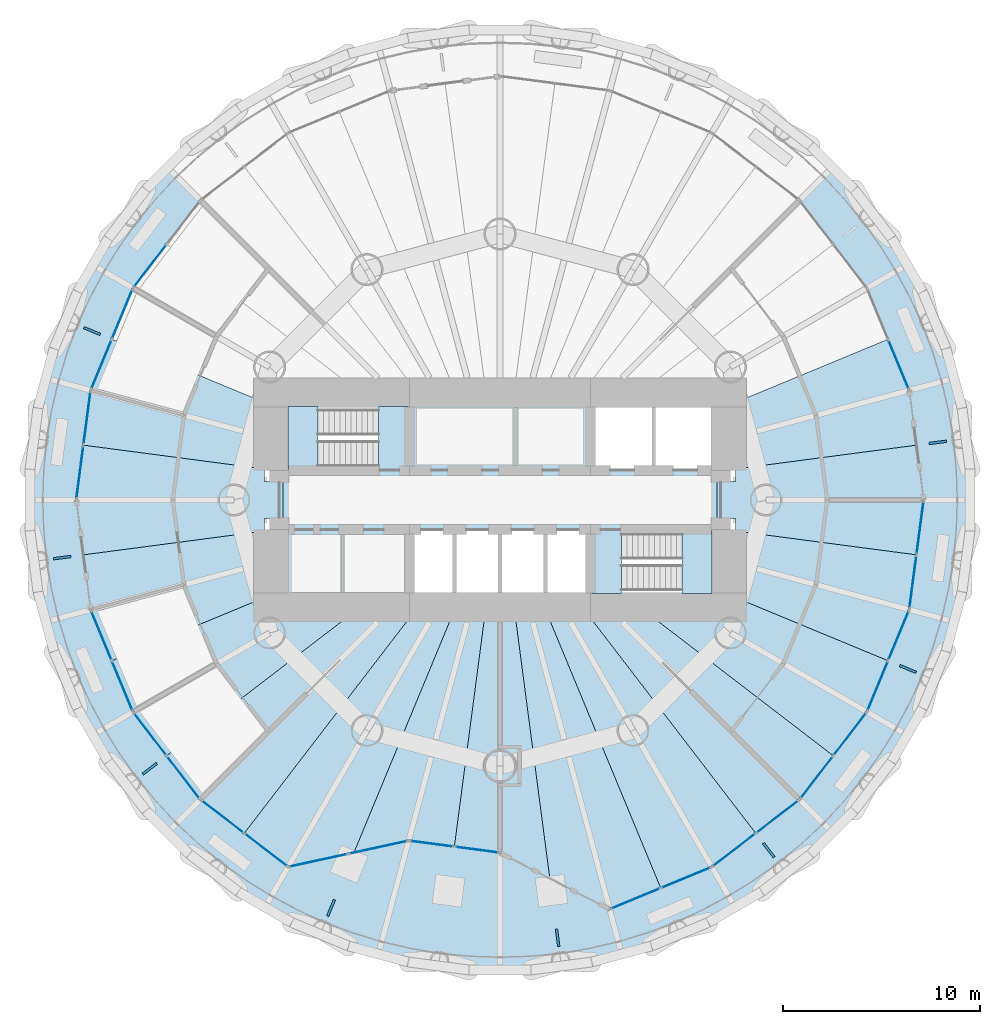
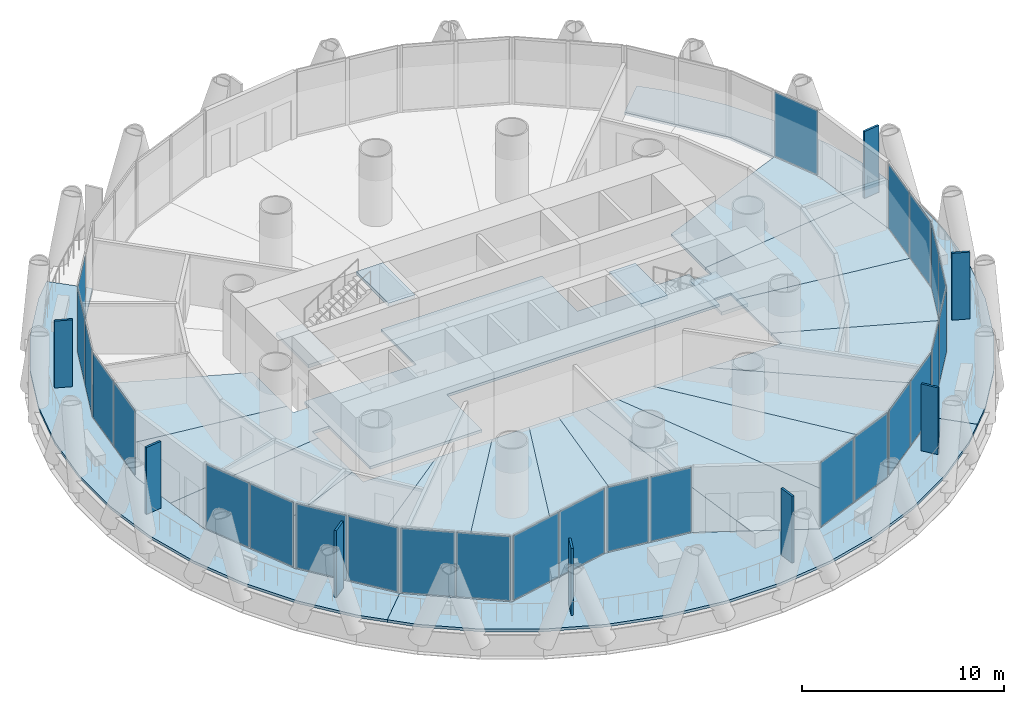
# One storey, part 8 of 15: 34 plates, 23 slabs, 16 elements without a shape of their own.
"""IFC4 building model written with IfcOpenShell, lengths in metres."""

from ifc_helpers import new_model, si_unit, direction, frame, origin, origin_2d, place, context, subcontext, project, spatial, polyline, rectangle, outline, extrude, material, layer, layer_set, type_object, element, aggregate, save


model = new_model("IFC4")

# Units and contexts
model_context = context("Model", 3, precision=1e-05, world=origin(), true_north=direction((0.0, 1.0)))
body_context = subcontext(model_context, "Body", "Model", "MODEL_VIEW")
ifc_project = project(units=[si_unit("LENGTHUNIT", "METRE"), si_unit("AREAUNIT", "SQUARE_METRE"), si_unit("VOLUMEUNIT", "CUBIC_METRE"), si_unit("PLANEANGLEUNIT", "RADIAN"), si_unit("MASSUNIT", "GRAM", prefix="KILO")], contexts=[model_context])

# Site, building, storey
site_placement = place(None, origin())
site = spatial("IfcSite", under=ifc_project, at=site_placement, CompositionType="ELEMENT")
building_placement = place(site_placement, origin())
building = spatial("IfcBuilding", under=site, at=building_placement, Name="Qaws Media Tower", CompositionType="ELEMENT")
storey_placement = place(building_placement, frame((0.0, 0.0, 198.199951171875)))
storey = spatial("IfcBuildingStorey", under=building, at=storey_placement, Name="L45", CompositionType="ELEMENT", Elevation=198.199951171875)

# Slabs
ifc_material_1 = material(Name="Concrete C35/45", Category="concrete")
ifc_layer_1 = layer(ifc_material_1, 0.159912109375)
ifc_layer_set_1 = layer_set([ifc_layer_1], Name="Composite balcony slab 160")
slab_type_1 = type_object("IfcSlabType", Name="Composite balcony slab 160", PredefinedType="FLOOR", material=ifc_layer_set_1)
slab_1_placement = place(storey_placement, frame((0.0, 0.0, -0.159912109375)))
element("IfcSlab", 1, at=slab_1_placement, inside=storey, type_object=slab_type_1, Name="S2 balcony slab L45 R10 to R16, movement joints on R10 and R16", PredefinedType="FLOOR", context=body_context, shape_type="SweptSolid", body=[
    extrude(outline(polyline([(42.031005859375, 34.24169921875), (40.1279296875, 36.721923828125), (38.564697265625, 39.42919921875), (37.368408203125, 42.317626953125), (36.55908203125, 45.33740234375), (36.151123046875, 48.43701171875), (36.151123046875, 51.56298828125), (36.55908203125, 54.66259765625), (37.368408203125, 57.682373046875), (38.564697265625, 60.57080078125), (40.1279296875, 63.278076171875), (42.031005859375, 65.75830078125), (43.13623046875, 66.86376953125), (44.797119140625, 65.202880859375), (41.380615234375, 60.75), (39.232666015625, 55.564697265625), (38.5, 50.0), (39.232666015625, 44.435302734375), (41.380615234375, 39.25), (44.797119140625, 34.797119140625), (43.13623046875, 33.13623046875), (42.031005859375, 34.24169921875)])), origin(), (0.0, 0.0, 1.0), 0.159912109375),
])
slab_2_placement = place(storey_placement, frame((0.0, 0.0, -0.159912109375)))
element("IfcSlab", 2, at=slab_2_placement, inside=storey, type_object=slab_type_1, Name="S2 balcony slab L45 R16 to R22, movement joints on R16 and R22", PredefinedType="FLOOR", context=body_context, shape_type="SweptSolid", body=[
    extrude(outline(polyline([(75.75830078125, 32.031005859375), (73.278076171875, 30.1279296875), (70.57080078125, 28.564697265625), (67.682373046875, 27.368408203125), (64.66259765625, 26.55908203125), (61.56298828125, 26.151123046875), (58.43701171875, 26.151123046875), (55.33740234375, 26.55908203125), (52.317626953125, 27.368408203125), (49.42919921875, 28.564697265625), (46.721923828125, 30.1279296875), (44.24169921875, 32.031005859375), (43.13623046875, 33.13623046875), (44.797119140625, 34.797119140625), (49.25, 31.380615234375), (55.3671875, 32.7099609375), (60.0, 32.10009765625), (65.564697265625, 29.232666015625), (70.75, 31.380615234375), (75.202880859375, 34.797119140625), (76.86376953125, 33.13623046875), (75.75830078125, 32.031005859375)])), origin(), (0.0, 0.0, 1.0), 0.159912109375),
])
slab_3_placement = place(storey_placement, frame((0.0, 0.0, -0.159912109375)))
element("IfcSlab", 3, at=slab_3_placement, inside=storey, type_object=slab_type_1, Name="S2 balcony slab L45 R22 to R04, movement joints on R22 and R04", PredefinedType="FLOOR", context=body_context, shape_type="SweptSolid", body=[
    extrude(outline(polyline([(83.44091796875, 45.33740234375), (82.631591796875, 42.317626953125), (81.435302734375, 39.42919921875), (79.8720703125, 36.721923828125), (77.968994140625, 34.24169921875), (76.86376953125, 33.13623046875), (75.202880859375, 34.797119140625), (78.619384765625, 39.25), (80.767333984375, 44.435302734375), (81.5, 50.0), (80.767333984375, 55.564697265625), (78.619384765625, 60.75), (75.202880859375, 65.202880859375), (76.86376953125, 66.86376953125), (77.968994140625, 65.75830078125), (79.8720703125, 63.278076171875), (81.435302734375, 60.57080078125), (82.631591796875, 57.682373046875), (83.44091796875, 54.66259765625), (83.848876953125, 51.56298828125), (83.848876953125, 48.43701171875), (83.44091796875, 45.33740234375)])), origin(), (0.0, 0.0, 1.0), 0.159912109375),
])
ifc_material_2 = material(Name="Concrete C35/45", Category="concrete")
ifc_layer_2 = layer(ifc_material_2, 0.159912109375)
ifc_layer_set_2 = layer_set([ifc_layer_2], Name="Composite floor slab 160")
slab_type_2 = type_object("IfcSlabType", Name="Composite floor slab 160", PredefinedType="FLOOR", material=ifc_layer_set_2)
slab_4_placement = place(storey_placement, frame((0.0, 0.0, -0.159912109375)))
element("IfcSlab", 4, at=slab_4_placement, inside=storey, type_object=slab_type_2, Name="S1 core floor slab L45", PredefinedType="FLOOR", context=body_context, shape_type="SweptSolid", body=[
    extrude(outline(polyline([(71.0, 51.5), (71.0, 48.5), (55.39990234375, 48.5), (55.39990234375, 45.0), (49.0, 45.0), (49.0, 51.5), (55.39990234375, 51.5), (55.39990234375, 55.0), (64.60009765625, 55.0), (64.60009765625, 51.5), (71.0, 51.5)])), origin(), (0.0, 0.0, 1.0), 0.159912109375),
])
slab_5_placement = place(storey_placement, frame((0.0, 0.0, -0.159912109375)))
element("IfcSlab", 5, at=slab_5_placement, inside=storey, type_object=slab_type_2, Name="S1 floor panel L45 on R01", PredefinedType="FLOOR", context=body_context, shape_type="SweptSolid", body=[
    extrude(outline(polyline([(81.5, 50.0), (81.1337890625, 47.2177734375), (71.9599609375, 48.42529296875), (71.9599609375, 49.050048828125), (71.0, 49.050048828125), (71.0, 50.949951171875), (71.9599609375, 50.949951171875), (71.9599609375, 51.57470703125), (81.1337890625, 52.7822265625), (81.5, 50.0)])), origin(), (0.0, 0.0, 1.0), 0.159912109375),
])
slab_6_placement = place(storey_placement, frame((0.0, 0.0, -0.159912109375)))
element("IfcSlab", 6, at=slab_6_placement, inside=storey, type_object=slab_type_2, Name="S1 floor panel L45 on R02", PredefinedType="FLOOR", context=body_context, shape_type="SweptSolid", body=[
    extrude(outline(polyline([(80.767333984375, 55.564697265625), (81.1337890625, 52.7822265625), (71.9599609375, 51.57470703125), (71.9599609375, 54.9541015625), (79.693603515625, 58.1572265625), (80.767333984375, 55.564697265625)])), origin(), (0.0, 0.0, 1.0), 0.159912109375),
])
slab_7_placement = place(storey_placement, frame((0.0, 0.0, -0.159912109375)))
element("IfcSlab", 7, at=slab_7_placement, inside=storey, type_object=slab_type_2, Name="S1 floor panel L45 on R12", PredefinedType="FLOOR", context=body_context, shape_type="SweptSolid", body=[
    extrude(outline(polyline([(39.232666015625, 55.564697265625), (40.306396484375, 58.1572265625), (48.0400390625, 54.9541015625), (48.0400390625, 51.57470703125), (38.8662109375, 52.7822265625), (39.232666015625, 55.564697265625)])), origin(), (0.0, 0.0, 1.0), 0.159912109375),
])
slab_8_placement = place(storey_placement, frame((0.0, 0.0, -0.159912109375)))
element("IfcSlab", 8, at=slab_8_placement, inside=storey, type_object=slab_type_2, Name="S1 floor panel L45 on R13", PredefinedType="FLOOR", context=body_context, shape_type="SweptSolid", body=[
    extrude(outline(polyline([(38.5, 50.0), (38.8662109375, 52.7822265625), (48.0400390625, 51.57470703125), (48.0400390625, 50.949951171875), (49.0, 50.949951171875), (49.0, 49.050048828125), (48.0400390625, 49.050048828125), (48.0400390625, 48.42529296875), (38.8662109375, 47.2177734375), (38.5, 50.0)])), origin(), (0.0, 0.0, 1.0), 0.159912109375),
])
slab_9_placement = place(storey_placement, frame((0.0, 0.0, -0.159912109375)))
element("IfcSlab", 9, at=slab_9_placement, inside=storey, type_object=slab_type_2, Name="S1 floor panel L45 on R14", PredefinedType="FLOOR", context=body_context, shape_type="SweptSolid", body=[
    extrude(outline(polyline([(39.232666015625, 44.435302734375), (38.8662109375, 47.2177734375), (48.0400390625, 48.42529296875), (48.0400390625, 45.0458984375), (40.306396484375, 41.8427734375), (39.232666015625, 44.435302734375)])), origin(), (0.0, 0.0, 1.0), 0.159912109375),
])
slab_10_placement = place(storey_placement, frame((0.0, 0.0, -0.159912109375)))
element("IfcSlab", 10, at=slab_10_placement, inside=storey, type_object=slab_type_2, Name="S1 floor panel L45 on R15", PredefinedType="FLOOR", context=body_context, shape_type="SweptSolid", body=[
    extrude(outline(polyline([(41.380615234375, 39.25), (40.306396484375, 41.8427734375), (48.0400390625, 45.0458984375), (48.0400390625, 44.0400390625), (52.23291015625, 44.0400390625), (43.0888671875, 37.023681640625), (41.380615234375, 39.25)])), origin(), (0.0, 0.0, 1.0), 0.159912109375),
])
slab_11_placement = place(storey_placement, frame((0.0, 0.0, -0.159912109375)))
element("IfcSlab", 11, at=slab_11_placement, inside=storey, type_object=slab_type_2, Name="S1 floor panel L45 on R16", PredefinedType="FLOOR", context=body_context, shape_type="SweptSolid", body=[
    extrude(outline(polyline([(44.797119140625, 34.797119140625), (43.0888671875, 37.023681640625), (52.23291015625, 44.0400390625), (55.4267578125, 44.0400390625), (47.023681640625, 33.0888671875), (44.797119140625, 34.797119140625)])), origin(), (0.0, 0.0, 1.0), 0.159912109375),
])
slab_12_placement = place(storey_placement, frame((0.0, 0.0, -0.159912109375)))
element("IfcSlab", 12, at=slab_12_placement, inside=storey, type_object=slab_type_2, Name="S1 floor panel L45 on R17", PredefinedType="FLOOR", context=body_context, shape_type="SweptSolid", body=[
    extrude(outline(polyline([(49.25, 31.380615234375), (47.023681640625, 33.0888671875), (55.4267578125, 44.0400390625), (57.53125, 44.0400390625), (52.587890625, 32.10595703125), (49.25, 31.380615234375)])), origin(), (0.0, 0.0, 1.0), 0.159912109375),
])
slab_13_placement = place(storey_placement, frame((0.0, 0.0, -0.159912109375)))
element("IfcSlab", 13, at=slab_13_placement, inside=storey, type_object=slab_type_2, Name="S1 floor panel L45 on R18", PredefinedType="FLOOR", context=body_context, shape_type="SweptSolid", body=[
    extrude(outline(polyline([(55.3671875, 32.7099609375), (52.587890625, 32.10595703125), (57.53125, 44.0400390625), (59.21533203125, 44.0400390625), (57.68359375, 32.405029296875), (55.3671875, 32.7099609375)])), origin(), (0.0, 0.0, 1.0), 0.159912109375),
])
slab_14_placement = place(storey_placement, frame((0.0, 0.0, -0.159912109375)))
element("IfcSlab", 14, at=slab_14_placement, inside=storey, type_object=slab_type_2, Name="S1 floor panel L45 on R19", PredefinedType="FLOOR", context=body_context, shape_type="SweptSolid", body=[
    extrude(outline(polyline([(60.0, 32.10009765625), (57.68359375, 32.405029296875), (59.21533203125, 44.0400390625), (60.78466796875, 44.0400390625), (62.528076171875, 30.79736328125), (60.0, 32.10009765625)])), origin(), (0.0, 0.0, 1.0), 0.159912109375),
])
slab_15_placement = place(storey_placement, frame((0.0, 0.0, -0.159912109375)))
element("IfcSlab", 15, at=slab_15_placement, inside=storey, type_object=slab_type_2, Name="S1 floor panel L45 on R20", PredefinedType="FLOOR", context=body_context, shape_type="SweptSolid", body=[
    extrude(outline(polyline([(65.564697265625, 29.232666015625), (62.528076171875, 30.79736328125), (60.78466796875, 44.0400390625), (62.46875, 44.0400390625), (68.1572265625, 30.306396484375), (65.564697265625, 29.232666015625)])), origin(), (0.0, 0.0, 1.0), 0.159912109375),
])
slab_16_placement = place(storey_placement, frame((0.0, 0.0, -0.159912109375)))
element("IfcSlab", 16, at=slab_16_placement, inside=storey, type_object=slab_type_2, Name="S1 floor panel L45 on R21", PredefinedType="FLOOR", context=body_context, shape_type="SweptSolid", body=[
    extrude(outline(polyline([(70.75, 31.380615234375), (68.1572265625, 30.306396484375), (62.46875, 44.0400390625), (64.5732421875, 44.0400390625), (72.976318359375, 33.0888671875), (70.75, 31.380615234375)])), origin(), (0.0, 0.0, 1.0), 0.159912109375),
])
slab_17_placement = place(storey_placement, frame((0.0, 0.0, -0.159912109375)))
element("IfcSlab", 17, at=slab_17_placement, inside=storey, type_object=slab_type_2, Name="S1 floor panel L45 on R22", PredefinedType="FLOOR", context=body_context, shape_type="SweptSolid", body=[
    extrude(outline(polyline([(75.202880859375, 34.797119140625), (72.976318359375, 33.0888671875), (64.5732421875, 44.0400390625), (67.76708984375, 44.0400390625), (76.9111328125, 37.023681640625), (75.202880859375, 34.797119140625)])), origin(), (0.0, 0.0, 1.0), 0.159912109375),
])
slab_18_placement = place(storey_placement, frame((0.0, 0.0, -0.159912109375)))
element("IfcSlab", 18, at=slab_18_placement, inside=storey, type_object=slab_type_2, Name="S1 floor panel L45 on R23", PredefinedType="FLOOR", context=body_context, shape_type="SweptSolid", body=[
    extrude(outline(polyline([(76.9111328125, 37.023681640625), (67.76708984375, 44.0400390625), (71.9599609375, 44.0400390625), (71.9599609375, 45.0458984375), (79.693603515625, 41.8427734375), (78.619384765625, 39.25), (76.9111328125, 37.023681640625)])), origin(), (0.0, 0.0, 1.0), 0.159912109375),
])
slab_19_placement = place(storey_placement, frame((0.0, 0.0, -0.159912109375)))
element("IfcSlab", 19, at=slab_19_placement, inside=storey, type_object=slab_type_2, Name="S1 floor panel L45 on R24", PredefinedType="FLOOR", context=body_context, shape_type="SweptSolid", body=[
    extrude(outline(polyline([(80.767333984375, 44.435302734375), (79.693603515625, 41.8427734375), (71.9599609375, 45.0458984375), (71.9599609375, 48.42529296875), (81.1337890625, 47.2177734375), (80.767333984375, 44.435302734375)])), origin(), (0.0, 0.0, 1.0), 0.159912109375),
])

# Curtain wall, plate
ifc_material_3 = material(Name="Aluminium and clear glass", Category="aluminium")
curtain_wall_type_1 = type_object("IfcCurtainWallType", Name="Unitised curtain wall CW-C", PredefinedType="NOTDEFINED", material=ifc_material_3)
curtain_wall_1_placement = place(storey_placement, origin())
curtain_wall_1 = element("IfcCurtainWall", 20, at=curtain_wall_1_placement, inside=storey, type_object=curtain_wall_type_1, Name="CWC curtain wall L45-02", PredefinedType="NOTDEFINED")
ifc_material_4 = material(Name="Clear laminated double glazing", Category="glass")
ifc_layer_3 = layer(ifc_material_4, 0.031982421875)
ifc_layer_set_3 = layer_set([ifc_layer_3], Name="Curtain wall glass unit 32")
plate_type_1 = type_object("IfcPlateType", Name="Curtain wall glass unit 32", PredefinedType="CURTAIN_PANEL", material=ifc_layer_set_3)
plate_1_placement = place(storey_placement, frame((80.222900390625, 56.87939453125, 0.080078125), z_axis=(0.0, 0.0, 1.0), x_axis=(-0.382683390022, 0.923879550051, 0.0)))
plate_1 = element("IfcPlate", 21, at=plate_1_placement, type_object=plate_type_1, Name="CWC panel 1.1", PredefinedType="CURTAIN_PANEL", context=body_context, shape_type="SweptSolid", body=[
    extrude(rectangle(XDim=2.686279296875, YDim=0.031982421875, at=origin_2d()), origin(), (0.0, 0.0, 1.0), 3.8798828125),
])
aggregate(curtain_wall_1, [plate_1])

curtain_wall_2_placement = place(storey_placement, origin())
curtain_wall_2 = element("IfcCurtainWall", 22, at=curtain_wall_2_placement, inside=storey, type_object=curtain_wall_type_1, Name="CWC curtain wall L45-10", PredefinedType="NOTDEFINED")
plate_2_placement = place(storey_placement, frame((42.246826171875, 61.879150390625, 0.080078125), z_axis=(0.0, 0.0, 1.0), x_axis=(-0.608761368139, -0.793353386998, 0.0)))
plate_2 = element("IfcPlate", 23, at=plate_2_placement, type_object=plate_type_1, Name="CWC panel 2.1", PredefinedType="CURTAIN_PANEL", context=body_context, shape_type="SweptSolid", body=[
    extrude(rectangle(XDim=2.686279296875, YDim=0.031982421875, at=origin_2d()), origin(), (0.0, 0.0, 1.0), 3.8798828125),
])
aggregate(curtain_wall_2, [plate_2])

# Curtain wall, plates
curtain_wall_3_placement = place(storey_placement, origin())
curtain_wall_3 = element("IfcCurtainWall", 24, at=curtain_wall_3_placement, inside=storey, type_object=curtain_wall_type_1, Name="CWC curtain wall L45-11", PredefinedType="NOTDEFINED")
plate_3_placement = place(storey_placement, frame((40.8359375, 59.43505859375, 0.080078125), z_axis=(0.0, 0.0, 1.0), x_axis=(-0.382683390022, -0.923879550051, 0.0)))
plate_3 = element("IfcPlate", 25, at=plate_3_placement, type_object=plate_type_1, Name="CWC panel 1.1", PredefinedType="CURTAIN_PANEL", context=body_context, shape_type="SweptSolid", body=[
    extrude(rectangle(XDim=2.686279296875, YDim=0.031982421875, at=origin_2d()), origin(), (0.0, 0.0, 1.0), 3.8798828125),
])
plate_4_placement = place(storey_placement, frame((39.777099609375, 56.87939453125, 0.080078125), z_axis=(0.0, 0.0, 1.0), x_axis=(-0.382683390022, -0.923879550051, 0.0)))
plate_4 = element("IfcPlate", 26, at=plate_4_placement, type_object=plate_type_1, Name="CWC panel 2.1", PredefinedType="CURTAIN_PANEL", context=body_context, shape_type="SweptSolid", body=[
    extrude(rectangle(XDim=2.686279296875, YDim=0.031982421875, at=origin_2d()), origin(), (0.0, 0.0, 1.0), 3.8798828125),
])
aggregate(curtain_wall_3, [plate_3, plate_4])

curtain_wall_4_placement = place(storey_placement, origin())
curtain_wall_4 = element("IfcCurtainWall", 27, at=curtain_wall_4_placement, inside=storey, type_object=curtain_wall_type_1, Name="CWC curtain wall L45-12", PredefinedType="NOTDEFINED")
plate_5_placement = place(storey_placement, frame((39.046875, 54.153564453125, 0.080078125), z_axis=(0.0, 0.0, 1.0), x_axis=(-0.130526249496, -0.991444853833, 0.0)))
plate_5 = element("IfcPlate", 28, at=plate_5_placement, type_object=plate_type_1, Name="CWC panel 1.1", PredefinedType="CURTAIN_PANEL", context=body_context, shape_type="SweptSolid", body=[
    extrude(rectangle(XDim=2.686279296875, YDim=0.031982421875, at=origin_2d()), origin(), (0.0, 0.0, 1.0), 3.8798828125),
])
plate_6_placement = place(storey_placement, frame((38.685791015625, 51.410888671875, 0.080078125), z_axis=(0.0, 0.0, 1.0), x_axis=(-0.130526249496, -0.991444853833, 0.0)))
plate_6 = element("IfcPlate", 29, at=plate_6_placement, type_object=plate_type_1, Name="CWC panel 2.1", PredefinedType="CURTAIN_PANEL", context=body_context, shape_type="SweptSolid", body=[
    extrude(rectangle(XDim=2.686279296875, YDim=0.031982421875, at=origin_2d()), origin(), (0.0, 0.0, 1.0), 3.8798828125),
])
aggregate(curtain_wall_4, [plate_5, plate_6])

curtain_wall_5_placement = place(storey_placement, origin())
curtain_wall_5 = element("IfcCurtainWall", 30, at=curtain_wall_5_placement, inside=storey, type_object=curtain_wall_type_1, Name="CWC curtain wall L45-14", PredefinedType="NOTDEFINED")
plate_7_placement = place(storey_placement, frame((39.777099609375, 43.12060546875, 0.080078125), z_axis=(0.0, 0.0, 1.0), x_axis=(0.382683390022, -0.923879550051, 0.0)))
plate_7 = element("IfcPlate", 31, at=plate_7_placement, type_object=plate_type_1, Name="CWC panel 1.1", PredefinedType="CURTAIN_PANEL", context=body_context, shape_type="SweptSolid", body=[
    extrude(rectangle(XDim=2.686279296875, YDim=0.031982421875, at=origin_2d()), origin(), (0.0, 0.0, 1.0), 3.8798828125),
])
plate_8_placement = place(storey_placement, frame((40.8359375, 40.56494140625, 0.080078125), z_axis=(0.0, 0.0, 1.0), x_axis=(0.382683390022, -0.923879550051, 0.0)))
plate_8 = element("IfcPlate", 32, at=plate_8_placement, type_object=plate_type_1, Name="CWC panel 2.1", PredefinedType="CURTAIN_PANEL", context=body_context, shape_type="SweptSolid", body=[
    extrude(rectangle(XDim=2.686279296875, YDim=0.031982421875, at=origin_2d()), origin(), (0.0, 0.0, 1.0), 3.8798828125),
])
aggregate(curtain_wall_5, [plate_7, plate_8])

curtain_wall_6_placement = place(storey_placement, origin())
curtain_wall_6 = element("IfcCurtainWall", 33, at=curtain_wall_6_placement, inside=storey, type_object=curtain_wall_type_1, Name="CWC curtain wall L45-15", PredefinedType="NOTDEFINED")
plate_9_placement = place(storey_placement, frame((42.246826171875, 38.120849609375, 0.080078125), z_axis=(0.0, 0.0, 1.0), x_axis=(0.608761368139, -0.793353386998, 0.0)))
plate_9 = element("IfcPlate", 34, at=plate_9_placement, type_object=plate_type_1, Name="CWC panel 1.1", PredefinedType="CURTAIN_PANEL", context=body_context, shape_type="SweptSolid", body=[
    extrude(rectangle(XDim=2.686279296875, YDim=0.031982421875, at=origin_2d()), origin(), (0.0, 0.0, 1.0), 3.8798828125),
])
plate_10_placement = place(storey_placement, frame((43.930908203125, 35.92626953125, 0.080078125), z_axis=(0.0, 0.0, 1.0), x_axis=(0.608761368139, -0.793353386998, 0.0)))
plate_10 = element("IfcPlate", 35, at=plate_10_placement, type_object=plate_type_1, Name="CWC panel 2.1", PredefinedType="CURTAIN_PANEL", context=body_context, shape_type="SweptSolid", body=[
    extrude(rectangle(XDim=2.686279296875, YDim=0.031982421875, at=origin_2d()), origin(), (0.0, 0.0, 1.0), 3.8798828125),
])
aggregate(curtain_wall_6, [plate_9, plate_10])

curtain_wall_7_placement = place(storey_placement, origin())
curtain_wall_7 = element("IfcCurtainWall", 36, at=curtain_wall_7_placement, inside=storey, type_object=curtain_wall_type_1, Name="CWC curtain wall L45-16", PredefinedType="NOTDEFINED")
plate_11_placement = place(storey_placement, frame((45.92626953125, 33.930908203125, 0.080078125), z_axis=(0.0, 0.0, 1.0), x_axis=(0.793353386998, -0.608761368139, 0.0)))
plate_11 = element("IfcPlate", 37, at=plate_11_placement, type_object=plate_type_1, Name="CWC panel 1.1", PredefinedType="CURTAIN_PANEL", context=body_context, shape_type="SweptSolid", body=[
    extrude(rectangle(XDim=2.686279296875, YDim=0.031982421875, at=origin_2d()), origin(), (0.0, 0.0, 1.0), 3.8798828125),
])
plate_12_placement = place(storey_placement, frame((48.120849609375, 32.246826171875, 0.080078125), z_axis=(0.0, 0.0, 1.0), x_axis=(0.793353386998, -0.608761368139, 0.0)))
plate_12 = element("IfcPlate", 38, at=plate_12_placement, type_object=plate_type_1, Name="CWC panel 2.1", PredefinedType="CURTAIN_PANEL", context=body_context, shape_type="SweptSolid", body=[
    extrude(rectangle(XDim=2.686279296875, YDim=0.031982421875, at=origin_2d()), origin(), (0.0, 0.0, 1.0), 3.8798828125),
])
aggregate(curtain_wall_7, [plate_11, plate_12])

ifc_material_5 = material(Name="Aluminium and clear glass", Category="aluminium")
curtain_wall_type_2 = type_object("IfcCurtainWallType", Name="Loggia curtain wall CW-G", PredefinedType="NOTDEFINED", material=ifc_material_5)
curtain_wall_8_placement = place(storey_placement, origin())
curtain_wall_8 = element("IfcCurtainWall", 39, at=curtain_wall_8_placement, inside=storey, type_object=curtain_wall_type_2, Name="CWG curtain wall L45-17", PredefinedType="NOTDEFINED")
plate_13_placement = place(storey_placement, frame((50.798828125, 31.717041015625, 0.080078125), z_axis=(0.0, 0.0, 1.0), x_axis=(0.977187598112, 0.212377960475, 0.0)))
plate_13 = element("IfcPlate", 40, at=plate_13_placement, type_object=plate_type_1, Name="CWG panel 1.1", PredefinedType="CURTAIN_PANEL", context=body_context, shape_type="SweptSolid", body=[
    extrude(rectangle(XDim=3.010009765625, YDim=0.031982421875, at=origin_2d()), origin(), (0.0, 0.0, 1.0), 3.8798828125),
])
plate_14_placement = place(storey_placement, frame((53.818359375, 32.373291015625, 0.080078125), z_axis=(0.0, 0.0, 1.0), x_axis=(0.977187598112, 0.212377960475, 0.0)))
plate_14 = element("IfcPlate", 41, at=plate_14_placement, type_object=plate_type_1, Name="CWG panel 2.1", PredefinedType="CURTAIN_PANEL", context=body_context, shape_type="SweptSolid", body=[
    extrude(rectangle(XDim=3.010009765625, YDim=0.031982421875, at=origin_2d()), origin(), (0.0, 0.0, 1.0), 3.8798828125),
])
aggregate(curtain_wall_8, [plate_13, plate_14])

curtain_wall_9_placement = place(storey_placement, origin())
curtain_wall_9 = element("IfcCurtainWall", 42, at=curtain_wall_9_placement, inside=storey, type_object=curtain_wall_type_2, Name="CWG curtain wall L45-18", PredefinedType="NOTDEFINED")
plate_15_placement = place(storey_placement, frame((56.545166015625, 32.554931640625, 0.080078125), z_axis=(0.0, 0.0, 1.0), x_axis=(0.991444853665, -0.130526250777, 0.0)))
plate_15 = element("IfcPlate", 43, at=plate_15_placement, type_object=plate_type_1, Name="CWG panel 1.1", PredefinedType="CURTAIN_PANEL", context=body_context, shape_type="SweptSolid", body=[
    extrude(rectangle(XDim=2.21630859375, YDim=0.031982421875, at=origin_2d()), origin(), (0.0, 0.0, 1.0), 3.8798828125),
])
plate_16_placement = place(storey_placement, frame((58.822021484375, 32.255126953125, 0.080078125), z_axis=(0.0, 0.0, 1.0), x_axis=(0.991444853665, -0.130526250777, 0.0)))
plate_16 = element("IfcPlate", 44, at=plate_16_placement, type_object=plate_type_1, Name="CWG panel 2.1", PredefinedType="CURTAIN_PANEL", context=body_context, shape_type="SweptSolid", body=[
    extrude(rectangle(XDim=2.21630859375, YDim=0.031982421875, at=origin_2d()), origin(), (0.0, 0.0, 1.0), 3.8798828125),
])
aggregate(curtain_wall_9, [plate_15, plate_16])

curtain_wall_10_placement = place(storey_placement, origin())
curtain_wall_10 = element("IfcCurtainWall", 45, at=curtain_wall_10_placement, inside=storey, type_object=curtain_wall_type_1, Name="CWC curtain wall L45-20", PredefinedType="NOTDEFINED")
plate_17_placement = place(storey_placement, frame((66.87939453125, 29.777099609375, 0.080078125), z_axis=(0.0, 0.0, 1.0), x_axis=(0.923879550051, 0.382683390022, 0.0)))
plate_17 = element("IfcPlate", 46, at=plate_17_placement, type_object=plate_type_1, Name="CWC panel 1.1", PredefinedType="CURTAIN_PANEL", context=body_context, shape_type="SweptSolid", body=[
    extrude(rectangle(XDim=2.686279296875, YDim=0.031982421875, at=origin_2d()), origin(), (0.0, 0.0, 1.0), 3.8798828125),
])
plate_18_placement = place(storey_placement, frame((69.43505859375, 30.8359375, 0.080078125), z_axis=(0.0, 0.0, 1.0), x_axis=(0.923879550051, 0.382683390022, 0.0)))
plate_18 = element("IfcPlate", 47, at=plate_18_placement, type_object=plate_type_1, Name="CWC panel 2.1", PredefinedType="CURTAIN_PANEL", context=body_context, shape_type="SweptSolid", body=[
    extrude(rectangle(XDim=2.686279296875, YDim=0.031982421875, at=origin_2d()), origin(), (0.0, 0.0, 1.0), 3.8798828125),
])
aggregate(curtain_wall_10, [plate_17, plate_18])

curtain_wall_11_placement = place(storey_placement, origin())
curtain_wall_11 = element("IfcCurtainWall", 48, at=curtain_wall_11_placement, inside=storey, type_object=curtain_wall_type_1, Name="CWC curtain wall L45-21", PredefinedType="NOTDEFINED")
plate_19_placement = place(storey_placement, frame((71.879150390625, 32.246826171875, 0.080078125), z_axis=(0.0, 0.0, 1.0), x_axis=(0.793353386998, 0.608761368139, 0.0)))
plate_19 = element("IfcPlate", 49, at=plate_19_placement, type_object=plate_type_1, Name="CWC panel 1.1", PredefinedType="CURTAIN_PANEL", context=body_context, shape_type="SweptSolid", body=[
    extrude(rectangle(XDim=2.686279296875, YDim=0.031982421875, at=origin_2d()), origin(), (0.0, 0.0, 1.0), 3.8798828125),
])
plate_20_placement = place(storey_placement, frame((74.07373046875, 33.930908203125, 0.080078125), z_axis=(0.0, 0.0, 1.0), x_axis=(0.793353386998, 0.608761368139, 0.0)))
plate_20 = element("IfcPlate", 50, at=plate_20_placement, type_object=plate_type_1, Name="CWC panel 2.1", PredefinedType="CURTAIN_PANEL", context=body_context, shape_type="SweptSolid", body=[
    extrude(rectangle(XDim=2.686279296875, YDim=0.031982421875, at=origin_2d()), origin(), (0.0, 0.0, 1.0), 3.8798828125),
])
aggregate(curtain_wall_11, [plate_19, plate_20])

curtain_wall_12_placement = place(storey_placement, origin())
curtain_wall_12 = element("IfcCurtainWall", 51, at=curtain_wall_12_placement, inside=storey, type_object=curtain_wall_type_1, Name="CWC curtain wall L45-22", PredefinedType="NOTDEFINED")
plate_21_placement = place(storey_placement, frame((76.069091796875, 35.92626953125, 0.080078125), z_axis=(0.0, 0.0, 1.0), x_axis=(0.608761368139, 0.793353386998, 0.0)))
plate_21 = element("IfcPlate", 52, at=plate_21_placement, type_object=plate_type_1, Name="CWC panel 1.1", PredefinedType="CURTAIN_PANEL", context=body_context, shape_type="SweptSolid", body=[
    extrude(rectangle(XDim=2.686279296875, YDim=0.031982421875, at=origin_2d()), origin(), (0.0, 0.0, 1.0), 3.8798828125),
])
plate_22_placement = place(storey_placement, frame((77.753173828125, 38.120849609375, 0.080078125), z_axis=(0.0, 0.0, 1.0), x_axis=(0.608761368139, 0.793353386998, 0.0)))
plate_22 = element("IfcPlate", 53, at=plate_22_placement, type_object=plate_type_1, Name="CWC panel 2.1", PredefinedType="CURTAIN_PANEL", context=body_context, shape_type="SweptSolid", body=[
    extrude(rectangle(XDim=2.686279296875, YDim=0.031982421875, at=origin_2d()), origin(), (0.0, 0.0, 1.0), 3.8798828125),
])
aggregate(curtain_wall_12, [plate_21, plate_22])

curtain_wall_13_placement = place(storey_placement, origin())
curtain_wall_13 = element("IfcCurtainWall", 54, at=curtain_wall_13_placement, inside=storey, type_object=curtain_wall_type_1, Name="CWC curtain wall L45-23", PredefinedType="NOTDEFINED")
plate_23_placement = place(storey_placement, frame((79.1640625, 40.56494140625, 0.080078125), z_axis=(0.0, 0.0, 1.0), x_axis=(0.382683390022, 0.923879550051, 0.0)))
plate_23 = element("IfcPlate", 55, at=plate_23_placement, type_object=plate_type_1, Name="CWC panel 1.1", PredefinedType="CURTAIN_PANEL", context=body_context, shape_type="SweptSolid", body=[
    extrude(rectangle(XDim=2.686279296875, YDim=0.031982421875, at=origin_2d()), origin(), (0.0, 0.0, 1.0), 3.8798828125),
])
plate_24_placement = place(storey_placement, frame((80.222900390625, 43.12060546875, 0.080078125), z_axis=(0.0, 0.0, 1.0), x_axis=(0.382683390022, 0.923879550051, 0.0)))
plate_24 = element("IfcPlate", 56, at=plate_24_placement, type_object=plate_type_1, Name="CWC panel 2.1", PredefinedType="CURTAIN_PANEL", context=body_context, shape_type="SweptSolid", body=[
    extrude(rectangle(XDim=2.686279296875, YDim=0.031982421875, at=origin_2d()), origin(), (0.0, 0.0, 1.0), 3.8798828125),
])
aggregate(curtain_wall_13, [plate_23, plate_24])

curtain_wall_14_placement = place(storey_placement, origin())
curtain_wall_14 = element("IfcCurtainWall", 57, at=curtain_wall_14_placement, inside=storey, type_object=curtain_wall_type_1, Name="CWC curtain wall L45-24", PredefinedType="NOTDEFINED")
plate_25_placement = place(storey_placement, frame((80.953125, 45.846435546875, 0.080078125), z_axis=(0.0, 0.0, 1.0), x_axis=(0.130526249496, 0.991444853833, 0.0)))
plate_25 = element("IfcPlate", 58, at=plate_25_placement, type_object=plate_type_1, Name="CWC panel 1.1", PredefinedType="CURTAIN_PANEL", context=body_context, shape_type="SweptSolid", body=[
    extrude(rectangle(XDim=2.686279296875, YDim=0.031982421875, at=origin_2d()), origin(), (0.0, 0.0, 1.0), 3.8798828125),
])
plate_26_placement = place(storey_placement, frame((81.314208984375, 48.589111328125, 0.080078125), z_axis=(0.0, 0.0, 1.0), x_axis=(0.130526249496, 0.991444853833, 0.0)))
plate_26 = element("IfcPlate", 59, at=plate_26_placement, type_object=plate_type_1, Name="CWC panel 2.1", PredefinedType="CURTAIN_PANEL", context=body_context, shape_type="SweptSolid", body=[
    extrude(rectangle(XDim=2.686279296875, YDim=0.031982421875, at=origin_2d()), origin(), (0.0, 0.0, 1.0), 3.8798828125),
])
aggregate(curtain_wall_14, [plate_25, plate_26])

# Plates
ifc_material_6 = material(Name="Precast concrete screen fin", Category="concrete")
ifc_layer_4 = layer(ifc_material_6, 0.1201171875)
ifc_layer_set_4 = layer_set([ifc_layer_4], Name="Screen fin 120x900")
plate_type_2 = type_object("IfcPlateType", Name="Screen fin 120x900", PredefinedType="USERDEFINED", material=ifc_layer_set_4)
for number, where, z_axis, x_axis, name in (
    (60, (82.208251953125, 52.923828125, 0.0), (0.0, 0.0, 1.0), (0.991444861374, 0.13052619222, 0.0), "SCR1 screen fin L45-01"),
    (61, (39.30517578125, 58.572021484375, 0.0), (0.0, 0.0, 1.0), (-0.923879532511, 0.382683432365, 0.0), "SCR1 screen fin L45-06"),
    (62, (37.791748046875, 47.076171875, 0.0), (0.0, 0.0, 1.0), (-0.991444861374, -0.13052619222, 0.0), "SCR1 screen fin L45-07"),
    (63, (42.22900390625, 36.36376953125, 0.0), (0.0, 0.0, 1.0), (-0.793353340291, -0.608761429009, 0.0), "SCR1 screen fin L45-08"),
    (64, (51.427978515625, 29.30517578125, 0.0), (0.0, 0.0, 1.0), (-0.382683432365, -0.923879532511, 0.0), "SCR1 screen fin L45-09"),
    (65, (62.923828125, 27.791748046875, 0.0), (0.0, 0.0, 1.0), (0.13052619222, -0.991444861374, 0.0), "SCR1 screen fin L45-10"),
    (66, (73.63623046875, 32.22900390625, 0.0), (0.0, 0.0, 1.0), (0.608761429009, -0.793353340291, 0.0), "SCR1 screen fin L45-11"),
    (67, (80.69482421875, 41.427978515625, 0.0), (0.0, 0.0, 1.0), (0.923879532511, -0.382683432365, 0.0), "SCR1 screen fin L45-12"),
):
    element("IfcPlate", number, at=place(storey_placement, frame(where, z_axis=z_axis, x_axis=x_axis)), inside=storey, type_object=plate_type_2, Name=name, ObjectType="SCREEN", PredefinedType="USERDEFINED", context=body_context, shape_type="SweptSolid", body=[
        extrude(rectangle(XDim=0.89990234375, YDim=0.1201171875, at=origin_2d()), origin(), (0.0, 0.0, 1.0), 4.0400390625),
    ])

# Stair, slabs
ifc_material_7 = material(Name="Concrete C40/50", Category="concrete")
stair_type = type_object("IfcStairType", Name="Exit stair", PredefinedType="HALF_TURN_STAIR", material=ifc_material_7)
stair_1_placement = place(storey_placement, origin())
stair_1 = element("IfcStair", 68, at=stair_1_placement, inside=storey, type_object=stair_type, Name="S1 exit stair L45", PredefinedType="HALF_TURN_STAIR")
ifc_material_8 = material(Name="Concrete C40/50", Category="concrete")
ifc_layer_5 = layer(ifc_material_8, 0.199951171875)
ifc_layer_set_5 = layer_set([ifc_layer_5], Name="Stair landing 200")
slab_type_3 = type_object("IfcSlabType", Name="Stair landing 200", PredefinedType="LANDING", material=ifc_layer_set_5)
slab_20_placement = place(storey_placement, frame((0.0, 0.0, 1.900146484375)))
slab_20 = element("IfcSlab", 69, at=slab_20_placement, type_object=slab_type_3, Name="S1 landing 1", PredefinedType="LANDING", context=body_context, shape_type="SweptSolid", body=[
    extrude(outline(polyline([(49.25, 51.550048828125), (50.760009765625, 51.550048828125), (50.760009765625, 54.75), (49.25, 54.75), (49.25, 51.550048828125)])), origin(), (0.0, 0.0, 1.0), 0.199951171875),
])
slab_21_placement = place(storey_placement, frame((0.0, 0.0, 4.0)))
slab_21 = element("IfcSlab", 70, at=slab_21_placement, type_object=slab_type_3, Name="S1 landing 2", PredefinedType="LANDING", context=body_context, shape_type="SweptSolid", body=[
    extrude(outline(polyline([(53.840087890625, 51.550048828125), (55.35009765625, 51.550048828125), (55.35009765625, 54.75), (53.840087890625, 54.75), (53.840087890625, 51.550048828125)])), origin(), (0.0, 0.0, 1.0), 0.199951171875),
])
aggregate(stair_1, [slab_20, slab_21])

stair_2_placement = place(storey_placement, origin())
stair_2 = element("IfcStair", 71, at=stair_2_placement, inside=storey, type_object=stair_type, Name="S2 exit stair L45", PredefinedType="HALF_TURN_STAIR")
slab_22_placement = place(storey_placement, frame((0.0, 0.0, 1.900146484375)))
slab_22 = element("IfcSlab", 72, at=slab_22_placement, type_object=slab_type_3, Name="S2 landing 1", PredefinedType="LANDING", context=body_context, shape_type="SweptSolid", body=[
    extrude(outline(polyline([(69.239990234375, 45.25), (70.75, 45.25), (70.75, 48.449951171875), (69.239990234375, 48.449951171875), (69.239990234375, 45.25)])), origin(), (0.0, 0.0, 1.0), 0.199951171875),
])
slab_23_placement = place(storey_placement, frame((0.0, 0.0, 4.0)))
slab_23 = element("IfcSlab", 73, at=slab_23_placement, type_object=slab_type_3, Name="S2 landing 2", PredefinedType="LANDING", context=body_context, shape_type="SweptSolid", body=[
    extrude(outline(polyline([(64.64990234375, 45.25), (66.159912109375, 45.25), (66.159912109375, 48.449951171875), (64.64990234375, 48.449951171875), (64.64990234375, 45.25)])), origin(), (0.0, 0.0, 1.0), 0.199951171875),
])
aggregate(stair_2, [slab_22, slab_23])

save(model, "model.ifc")
